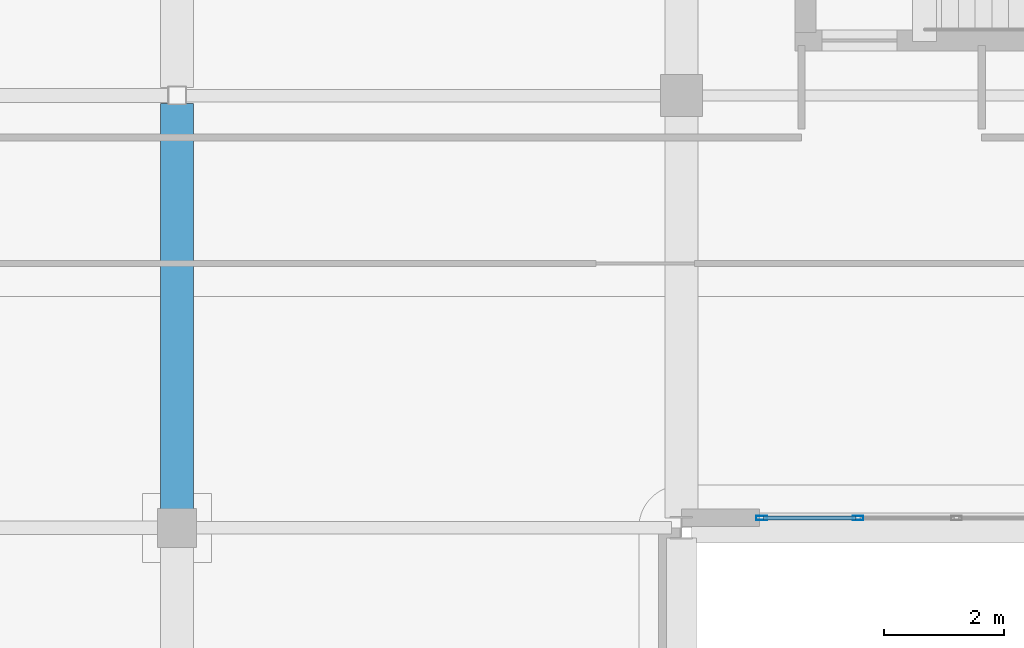
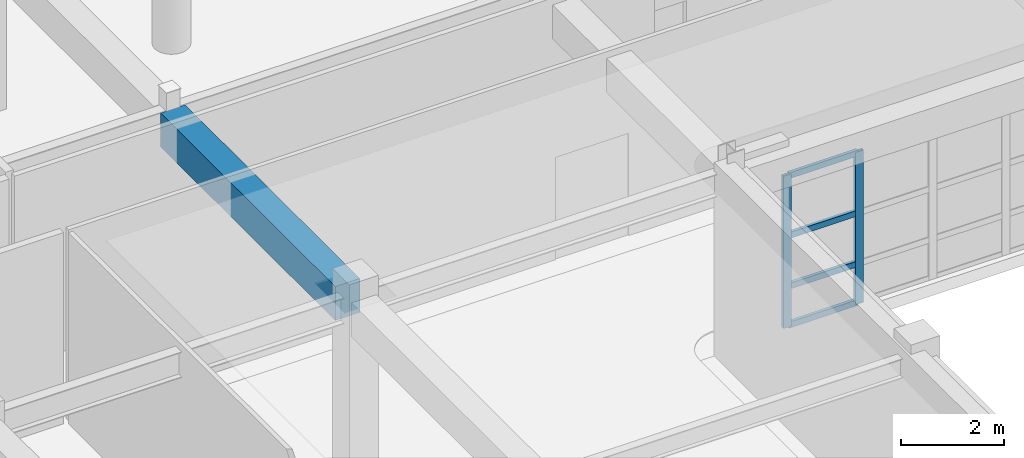
# One storey, part 58 of 123: 6 members, 1 beam, 1 element without a shape of its own.
"""IFC4 building model written with IfcOpenShell, lengths in metres."""

from ifc_helpers import new_model, si_unit, direction, frame, origin, origin_2d, place, context, subcontext, project, spatial, rectangle, hollow_rectangle, extrude, material, layer, layer_set, material_profile, profile_set, type_object, element, aggregate, save


model = new_model("IFC4")

# Units and contexts
model_context = context("Model", 3, precision=1e-05, world=origin(), true_north=direction((0.0, 1.0)))
body_context = subcontext(model_context, "Body", "Model", "MODEL_VIEW")
ifc_project = project(units=[si_unit("LENGTHUNIT", "METRE"), si_unit("AREAUNIT", "SQUARE_METRE"), si_unit("VOLUMEUNIT", "CUBIC_METRE"), si_unit("PLANEANGLEUNIT", "RADIAN"), si_unit("MASSUNIT", "GRAM", prefix="KILO")], contexts=[model_context])

# Site, building, storey
site_placement = place(None, origin())
site = spatial("IfcSite", under=ifc_project, at=site_placement, CompositionType="ELEMENT")
building_placement = place(site_placement, origin())
building = spatial("IfcBuilding", under=site, at=building_placement, Name="Quendrovan Civic Courthouse", CompositionType="ELEMENT")
storey_placement = place(building_placement, frame((0.0, 0.0, 5.39990234375)))
storey = spatial("IfcBuildingStorey", under=building, at=storey_placement, Name="L02", CompositionType="ELEMENT", Elevation=5.39990234375)

# Beam
ifc_material_1 = material(Name="Concrete C40/50", Category="concrete")
ifc_material_profile_1 = material_profile(ifc_material_1, rectangle(XDim=0.550048828125, YDim=0.800048828125, at=origin_2d()), Name="RC-BM-550x800")
ifc_profile_set_1 = profile_set([ifc_material_profile_1], Name="Concrete C40/50")
beam_type = type_object("IfcBeamType", Name="BM-RC800", PredefinedType="BEAM", material=ifc_profile_set_1)
beam_placement = place(storey_placement, frame((100.800048828125, 87.905029296875, 3.960205078125), z_axis=(0.0, 1.0, 0.0), x_axis=(-1.0, 0.0, 0.0)))
element("IfcBeam", 1, at=beam_placement, inside=storey, type_object=beam_type, Name="L02 Girder Y0688", PredefinedType="BEAM", context=body_context, shape_type="SweptSolid", body=[
    extrude(rectangle(XDim=0.550048828125, YDim=0.800048828125, at=origin_2d()), origin(), (0.0, 0.0, 1.0), 6.764892578125),
])

# Curtain wall, members
ifc_material_2 = material(Name="Bronze anodised aluminium and low-E glass", Category="aluminium")
ifc_layer = layer(ifc_material_2, 0.179931640625, Name="Bronze anodised aluminium and low-E glass")
ifc_layer_set = layer_set([ifc_layer], Name="Bronze anodised aluminium and low-E glass")
curtain_wall_type = type_object("IfcCurtainWallType", Name="CW-U66x36", PredefinedType="USERDEFINED", material=ifc_layer_set)
curtain_wall_placement = place(storey_placement, origin())
curtain_wall = element("IfcCurtainWall", 2, at=curtain_wall_placement, inside=storey, type_object=curtain_wall_type, Name="L02 Unitised Hurricane Curtain Wall CW-104", ObjectType="UNITISED CURTAIN WALL", PredefinedType="USERDEFINED")
ifc_material_3 = material(Name="Bronze anodised aluminium", Category="aluminium")
ifc_material_profile_2 = material_profile(ifc_material_3, hollow_rectangle(XDim=0.070068359375, YDim=0.179931640625, WallThickness=0.00390625, at=origin_2d()), Name="CW-MULL-70x180")
ifc_profile_set_2 = profile_set([ifc_material_profile_2], Name="Bronze anodised aluminium")
member_type_1 = type_object("IfcMemberType", Name="CW-MULL-A", PredefinedType="MULLION", material=ifc_profile_set_2)
member_1_placement = place(storey_placement, frame((112.140869140625, 87.764892578125, 0.0), z_axis=(0.0, 0.0, 1.0), x_axis=(0.0, -1.0, 0.0)))
member_1 = element("IfcMember", 3, at=member_1_placement, type_object=member_type_1, Name="CW-104 mullion 4", PredefinedType="MULLION", context=body_context, shape_type="SweptSolid", body=[
    extrude(hollow_rectangle(XDim=0.070068359375, YDim=0.179931640625, WallThickness=0.00390625, at=origin_2d()), origin(), (0.0, 0.0, 1.0), 3.60009765625),
])
member_2_placement = place(storey_placement, frame((110.534912109375, 87.764892578125, 0.0), z_axis=(0.0, 0.0, 1.0), x_axis=(0.0, -1.0, 0.0)))
member_2 = element("IfcMember", 4, at=member_2_placement, type_object=member_type_1, Name="CW-104 mullion 5", PredefinedType="MULLION", context=body_context, shape_type="SweptSolid", body=[
    extrude(hollow_rectangle(XDim=0.070068359375, YDim=0.179931640625, WallThickness=0.00390625, at=origin_2d()), origin(), (0.0, 0.0, 1.0), 3.60009765625),
])
ifc_material_profile_3 = material_profile(ifc_material_3, hollow_rectangle(XDim=0.070068359375, YDim=0.139892578125, WallThickness=0.00390625, at=origin_2d()), Name="CW-TRAN-70x140")
ifc_profile_set_3 = profile_set([ifc_material_profile_3], Name="Bronze anodised aluminium")
member_type_2 = type_object("IfcMemberType", Name="CW-TRAN-A", PredefinedType="USERDEFINED", material=ifc_profile_set_3)
member_3_placement = place(storey_placement, frame((112.105712890625, 87.764892578125, 0.03515625), z_axis=(-1.0, 0.0, 0.0), x_axis=(0.0, -1.0, 0.0)))
member_3 = element("IfcMember", 5, at=member_3_placement, type_object=member_type_2, Name="CW-104 transom 4.1", ObjectType="TRANSOM", PredefinedType="USERDEFINED", context=body_context, shape_type="SweptSolid", body=[
    extrude(hollow_rectangle(XDim=0.070068359375, YDim=0.139892578125, WallThickness=0.00390625, at=origin_2d()), origin(), (0.0, 0.0, 1.0), 1.53564453125),
])
member_4_placement = place(storey_placement, frame((112.105712890625, 87.764892578125, 0.9501953125), z_axis=(-1.0, 0.0, 0.0), x_axis=(0.0, -1.0, 0.0)))
member_4 = element("IfcMember", 6, at=member_4_placement, type_object=member_type_2, Name="CW-104 transom 4.2", ObjectType="TRANSOM", PredefinedType="USERDEFINED", context=body_context, shape_type="SweptSolid", body=[
    extrude(hollow_rectangle(XDim=0.070068359375, YDim=0.139892578125, WallThickness=0.00390625, at=origin_2d()), origin(), (0.0, 0.0, 1.0), 1.53564453125),
])
member_5_placement = place(storey_placement, frame((112.105712890625, 87.764892578125, 2.150146484375), z_axis=(-1.0, 0.0, 0.0), x_axis=(0.0, -1.0, 0.0)))
member_5 = element("IfcMember", 7, at=member_5_placement, type_object=member_type_2, Name="CW-104 transom 4.3", ObjectType="TRANSOM", PredefinedType="USERDEFINED", context=body_context, shape_type="SweptSolid", body=[
    extrude(hollow_rectangle(XDim=0.070068359375, YDim=0.139892578125, WallThickness=0.00390625, at=origin_2d()), origin(), (0.0, 0.0, 1.0), 1.53564453125),
])
member_6_placement = place(storey_placement, frame((112.105712890625, 87.764892578125, 3.565185546875), z_axis=(-1.0, 0.0, 0.0), x_axis=(0.0, -1.0, 0.0)))
member_6 = element("IfcMember", 8, at=member_6_placement, type_object=member_type_2, Name="CW-104 transom 4.4", ObjectType="TRANSOM", PredefinedType="USERDEFINED", context=body_context, shape_type="SweptSolid", body=[
    extrude(hollow_rectangle(XDim=0.070068359375, YDim=0.139892578125, WallThickness=0.00390625, at=origin_2d()), origin(), (0.0, 0.0, 1.0), 1.53564453125),
])
aggregate(curtain_wall, [member_1, member_2, member_3, member_4, member_5, member_6])

save(model, "model.ifc")
